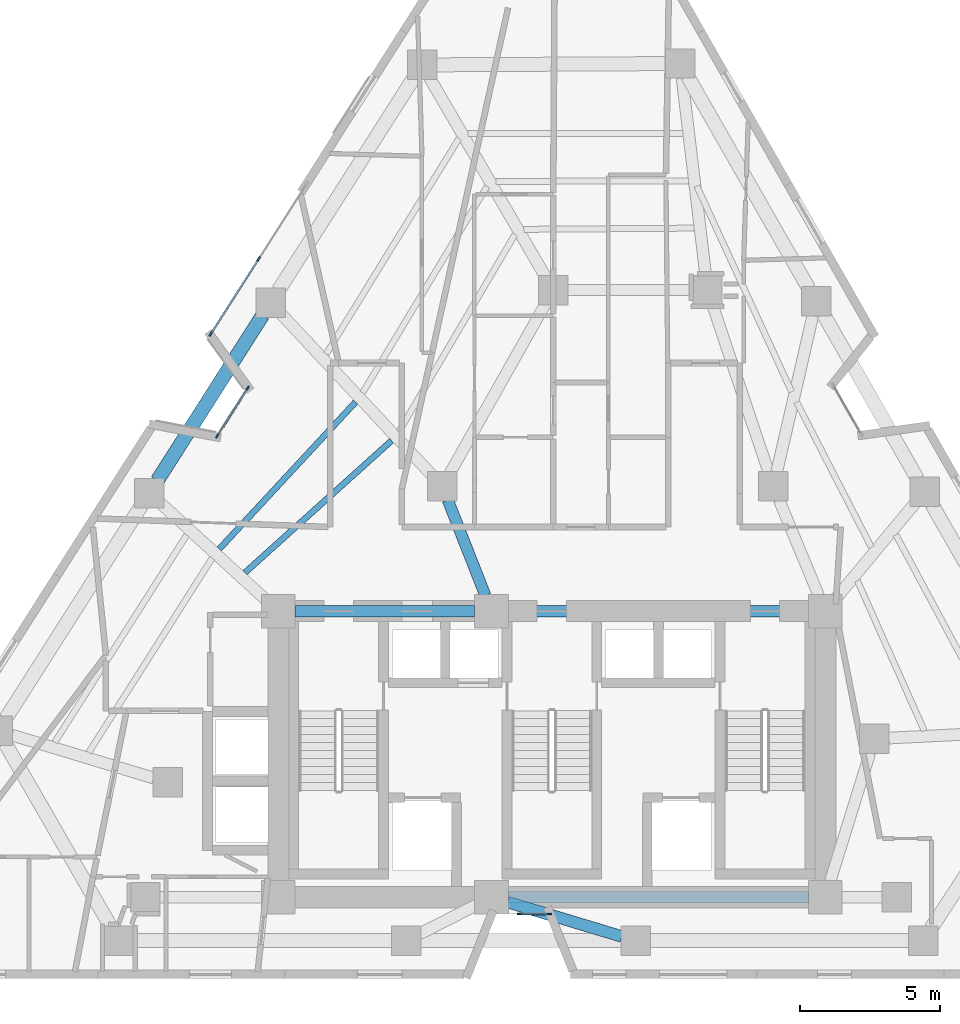
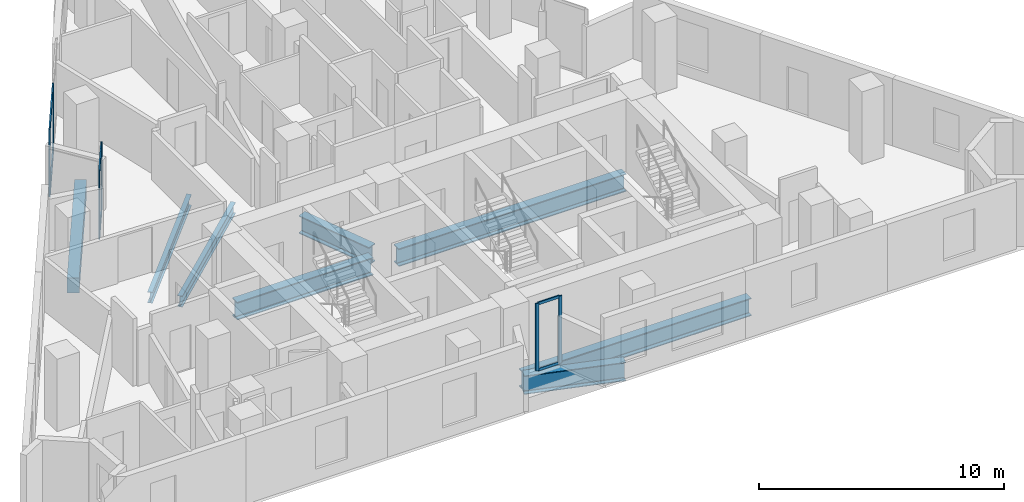
# One storey, part 2 of 11: 12 members, 8 beams, 3 elements without a shape of their own.
"""IFC4 building model written with IfcOpenShell, lengths in metres."""

from ifc_helpers import new_model, si_unit, direction, frame, origin, origin_2d, place, context, subcontext, project, spatial, rectangle, i_section, extrude, material, layer, layer_set, material_profile, profile_set, type_object, element, aggregate, save


model = new_model("IFC4")

# Units and contexts
model_context = context("Model", 3, precision=1e-05, world=origin(), true_north=direction((0.0, 1.0)))
body_context = subcontext(model_context, "Body", "Model", "MODEL_VIEW")
ifc_project = project(units=[si_unit("LENGTHUNIT", "METRE"), si_unit("AREAUNIT", "SQUARE_METRE"), si_unit("VOLUMEUNIT", "CUBIC_METRE"), si_unit("PLANEANGLEUNIT", "RADIAN"), si_unit("MASSUNIT", "GRAM", prefix="KILO")], contexts=[model_context])

# Site, building, storey
site_placement = place(None, origin())
site = spatial("IfcSite", under=ifc_project, at=site_placement, CompositionType="ELEMENT")
building_placement = place(site_placement, origin())
building = spatial("IfcBuilding", under=site, at=building_placement, Name="Almagre Mirador Tower", CompositionType="ELEMENT")
storey_placement = place(building_placement, frame((0.0, 0.0, 146.39990234375)))
storey = spatial("IfcBuildingStorey", under=building, at=storey_placement, Name="L37", CompositionType="ELEMENT", Elevation=146.39990234375)

# Beams
ifc_material_1 = material(Name="Steel ASTM A992 Grade 50", Category="steel")
ifc_material_profile_1 = material_profile(ifc_material_1, i_section(OverallWidth=0.214111328125, OverallDepth=0.549072265625, WebThickness=0.0146484375, FlangeThickness=0.023681640625, FilletRadius=0.01806640625, at=origin_2d()), Name="W21X93")
ifc_profile_set_1 = profile_set([ifc_material_profile_1], Name="Steel ASTM A992 Grade 50")
beam_type_1 = type_object("IfcBeamType", Name="BM-JST-W21X93", PredefinedType="JOIST", material=ifc_profile_set_1)
beam_1_placement = place(storey_placement, frame((30.302001953125, 22.20458984375, -0.5244140625), z_axis=(-0.680188995277, -0.733036786733, 0.0), x_axis=(0.733036786733, -0.680188995277, 0.0)))
element("IfcBeam", 1, at=beam_1_placement, inside=storey, type_object=beam_type_1, Name="L37 secondary floor joist PC10-PC11.2", PredefinedType="JOIST", context=body_context, shape_type="SweptSolid", body=[
    extrude(i_section(OverallWidth=0.214111328125, OverallDepth=0.549072265625, WebThickness=0.0146484375, FlangeThickness=0.023681640625, FilletRadius=0.01806640625, at=origin_2d()), origin(), (0.0, 0.0, 1.0), 7.146728515625),
])
beam_2_placement = place(storey_placement, frame((31.58740234375, 20.830810546875, -0.5244140625), z_axis=(-0.743228574816, -0.669037581588, 0.0), x_axis=(0.669037581588, -0.743228574816, 0.0)))
element("IfcBeam", 2, at=beam_2_placement, inside=storey, type_object=beam_type_1, Name="L37 secondary floor joist PC10-PC11.3", PredefinedType="JOIST", context=body_context, shape_type="SweptSolid", body=[
    extrude(i_section(OverallWidth=0.214111328125, OverallDepth=0.549072265625, WebThickness=0.0146484375, FlangeThickness=0.023681640625, FilletRadius=0.01806640625, at=origin_2d()), origin(), (0.0, 0.0, 1.0), 7.03564453125),
])
ifc_material_2 = material(Name="Precast concrete C50/60", Category="concrete")
ifc_material_profile_2 = material_profile(ifc_material_2, rectangle(XDim=0.5, YDim=0.75, at=origin_2d()), Name="RC500X750")
ifc_profile_set_2 = profile_set([ifc_material_profile_2], Name="Precast concrete C50/60")
beam_type_2 = type_object("IfcBeamType", Name="BM-SPN-RC500X750", PredefinedType="SPANDREL", material=ifc_profile_set_2)
beam_3_placement = place(storey_placement, frame((26.989990234375, 25.30419921875, -0.625), z_axis=(-0.537135259931, -0.843496124792, 0.0), x_axis=(0.843496124792, -0.537135259931, 0.0)))
element("IfcBeam", 3, at=beam_3_placement, inside=storey, type_object=beam_type_2, Name="L37 perimeter spandrel beam PC10-PC11", PredefinedType="SPANDREL", context=body_context, shape_type="SweptSolid", body=[
    extrude(rectangle(XDim=0.5, YDim=0.75, at=origin_2d()), origin(), (0.0, 0.0, 1.0), 6.992919921875),
])
ifc_material_3 = material(Name="Steel ASTM A992 Grade 50", Category="steel")
ifc_material_profile_3 = material_profile(ifc_material_3, i_section(OverallWidth=0.404052734375, OverallDepth=0.884033203125, WebThickness=0.0244140625, FlangeThickness=0.0439453125, FilletRadius=0.02490234375, at=origin_2d()), Name="W33X291")
ifc_profile_set_3 = profile_set([ifc_material_profile_3], Name="Steel ASTM A992 Grade 50")
beam_type_3 = type_object("IfcBeamType", Name="BM-STL-W33X291", PredefinedType="BEAM", material=ifc_profile_set_3)
beam_4_placement = place(storey_placement, frame((35.75, 4.550048828125, -0.69189453125), z_axis=(1.0, 0.0, 0.0), x_axis=(0.0, 1.0, 0.0)))
element("IfcBeam", 4, at=beam_4_placement, inside=storey, type_object=beam_type_3, Name="L37 core tie girder CC2-CC3", PredefinedType="BEAM", context=body_context, shape_type="SweptSolid", body=[
    extrude(i_section(OverallWidth=0.404052734375, OverallDepth=0.884033203125, WebThickness=0.0244140625, FlangeThickness=0.0439453125, FilletRadius=0.02490234375, at=origin_2d()), origin(), (0.0, 0.0, 1.0), 10.699951171875),
])
beam_5_placement = place(storey_placement, frame((28.14990234375, 14.75, -0.69189453125), z_axis=(1.0, 0.0, 0.0), x_axis=(0.0, 1.0, 0.0)))
element("IfcBeam", 5, at=beam_5_placement, inside=storey, type_object=beam_type_3, Name="L37 core tie girder CC4-CC5", PredefinedType="BEAM", context=body_context, shape_type="SweptSolid", body=[
    extrude(i_section(OverallWidth=0.404052734375, OverallDepth=0.884033203125, WebThickness=0.0244140625, FlangeThickness=0.0439453125, FilletRadius=0.02490234375, at=origin_2d()), origin(), (0.0, 0.0, 1.0), 6.400146484375),
])
beam_6_placement = place(storey_placement, frame((35.75, 14.75, -0.69189453125), z_axis=(1.0, 0.0, 0.0), x_axis=(0.0, 1.0, 0.0)))
element("IfcBeam", 6, at=beam_6_placement, inside=storey, type_object=beam_type_3, Name="L37 core tie girder CC5-CC6", PredefinedType="BEAM", context=body_context, shape_type="SweptSolid", body=[
    extrude(i_section(OverallWidth=0.404052734375, OverallDepth=0.884033203125, WebThickness=0.0244140625, FlangeThickness=0.0439453125, FilletRadius=0.02490234375, at=origin_2d()), origin(), (0.0, 0.0, 1.0), 10.699951171875),
])
beam_7_placement = place(storey_placement, frame((33.592041015625, 18.71142578125, -0.69189453125), z_axis=(0.365997304164, -0.930615910752, 0.0), x_axis=(0.930615910752, 0.365997304164, 0.0)))
element("IfcBeam", 7, at=beam_7_placement, inside=storey, type_object=beam_type_3, Name="L37 core tie girder MC8-CC5", PredefinedType="BEAM", context=body_context, shape_type="SweptSolid", body=[
    extrude(i_section(OverallWidth=0.404052734375, OverallDepth=0.884033203125, WebThickness=0.0244140625, FlangeThickness=0.0439453125, FilletRadius=0.02490234375, at=origin_2d()), origin(), (0.0, 0.0, 1.0), 3.65673828125),
])
ifc_material_4 = material(Name="Steel ASTM A992 Grade 50", Category="steel")
ifc_material_profile_4 = material_profile(ifc_material_4, i_section(OverallWidth=0.41796875, OverallDepth=0.927001953125, WebThickness=0.019287109375, FlangeThickness=0.031982421875, FilletRadius=0.028076171875, at=origin_2d()), Name="W36X231")
ifc_profile_set_4 = profile_set([ifc_material_profile_4], Name="Steel ASTM A992 Grade 50")
beam_type_4 = type_object("IfcBeamType", Name="BM-STL-W36X231", PredefinedType="BEAM", material=ifc_profile_set_4)
beam_8_placement = place(storey_placement, frame((39.793212890625, 3.1513671875, -0.71337890625), z_axis=(-0.957501498255, 0.288428294104, 0.0), x_axis=(-0.288428294104, -0.957501498255, 0.0)))
element("IfcBeam", 8, at=beam_8_placement, inside=storey, type_object=beam_type_4, Name="L37 radial floor girder PC03-CC2", PredefinedType="BEAM", context=body_context, shape_type="SweptSolid", body=[
    extrude(i_section(OverallWidth=0.41796875, OverallDepth=0.927001953125, WebThickness=0.019287109375, FlangeThickness=0.031982421875, FilletRadius=0.028076171875, at=origin_2d()), origin(), (0.0, 0.0, 1.0), 4.249267578125),
])

# Curtain wall, members
ifc_material_5 = material(Name="Black anodized aluminium", Category="aluminium")
ifc_layer_1 = layer(ifc_material_5, 0.169921875)
ifc_layer_set_1 = layer_set([ifc_layer_1], Name="Black anodized aluminium")
curtain_wall_type_1 = type_object("IfcCurtainWallType", Name="CW-CRS-SYS", PredefinedType="NOTDEFINED", material=ifc_layer_set_1)
curtain_wall_1_placement = place(storey_placement, origin())
curtain_wall_1 = element("IfcCurtainWall", 9, at=curtain_wall_1_placement, inside=storey, type_object=curtain_wall_type_1, Name="L37 vertical crease curtain wall 01", PredefinedType="NOTDEFINED")
ifc_material_6 = material(Name="Black anodized aluminium", Category="aluminium")
ifc_material_profile_5 = material_profile(ifc_material_6, rectangle(XDim=0.06005859375, YDim=0.14990234375, at=origin_2d()), Name="CWM60X150")
ifc_profile_set_5 = profile_set([ifc_material_profile_5], Name="Black anodized aluminium")
member_type_1 = type_object("IfcMemberType", Name="MBR-CWM60X150", PredefinedType="MULLION", material=ifc_profile_set_5)
member_1_placement = place(storey_placement, frame((25.3681640625, 20.9892578125, 0.0), z_axis=(0.0, 0.0, 1.0), x_axis=(-0.843425018441, 0.537246906243, 0.0)))
member_1 = element("IfcMember", 10, at=member_1_placement, type_object=member_type_1, Name="CW-4 mullion 1", PredefinedType="MULLION", context=body_context, shape_type="SweptSolid", body=[
    extrude(rectangle(XDim=0.06005859375, YDim=0.14990234375, at=origin_2d()), origin(), (0.0, 0.0, 1.0), 3.35009765625),
])
member_2_placement = place(storey_placement, frame((26.458984375, 22.70166015625, 0.0), z_axis=(0.0, 0.0, 1.0), x_axis=(-0.843425018441, 0.537246906243, 0.0)))
member_2 = element("IfcMember", 11, at=member_2_placement, type_object=member_type_1, Name="CW-4 mullion 2", PredefinedType="MULLION", context=body_context, shape_type="SweptSolid", body=[
    extrude(rectangle(XDim=0.06005859375, YDim=0.14990234375, at=origin_2d()), origin(), (0.0, 0.0, 1.0), 3.35009765625),
])

curtain_wall_2_placement = place(storey_placement, origin())
curtain_wall_2 = element("IfcCurtainWall", 12, at=curtain_wall_2_placement, inside=storey, type_object=curtain_wall_type_1, Name="L37 vertical crease curtain wall 04", PredefinedType="NOTDEFINED")
member_3_placement = place(storey_placement, frame((37.215087890625, 3.949951171875, 0.0), z_axis=(0.0, 0.0, 1.0), x_axis=(0.0, -1.0, 0.0)))
member_3 = element("IfcMember", 13, at=member_3_placement, type_object=member_type_1, Name="CW-4 mullion 1", PredefinedType="MULLION", context=body_context, shape_type="SweptSolid", body=[
    extrude(rectangle(XDim=0.06005859375, YDim=0.14990234375, at=origin_2d()), origin(), (0.0, 0.0, 1.0), 3.35009765625),
])
member_4_placement = place(storey_placement, frame((36.139892578125, 3.949951171875, 0.0), z_axis=(0.0, 0.0, 1.0), x_axis=(0.0, -1.0, 0.0)))
member_4 = element("IfcMember", 14, at=member_4_placement, type_object=member_type_1, Name="CW-4 mullion 2", PredefinedType="MULLION", context=body_context, shape_type="SweptSolid", body=[
    extrude(rectangle(XDim=0.06005859375, YDim=0.14990234375, at=origin_2d()), origin(), (0.0, 0.0, 1.0), 3.35009765625),
])

ifc_material_7 = material(Name="Black anodized aluminium", Category="aluminium")
ifc_layer_2 = layer(ifc_material_7, 0.199951171875)
ifc_layer_set_2 = layer_set([ifc_layer_2], Name="Black anodized aluminium")
curtain_wall_type_2 = type_object("IfcCurtainWallType", Name="CW-RES-H-SYS", PredefinedType="NOTDEFINED", material=ifc_layer_set_2)
curtain_wall_3_placement = place(storey_placement, origin())
curtain_wall_3 = element("IfcCurtainWall", 15, at=curtain_wall_3_placement, inside=storey, type_object=curtain_wall_type_2, Name="L37 curtain wall run 02", PredefinedType="NOTDEFINED")
ifc_material_8 = material(Name="Black anodized aluminium", Category="aluminium")
ifc_material_profile_6 = material_profile(ifc_material_8, rectangle(XDim=0.06494140625, YDim=0.179931640625, at=origin_2d()), Name="CWM65X180")
ifc_profile_set_6 = profile_set([ifc_material_profile_6], Name="Black anodized aluminium")
member_type_2 = type_object("IfcMemberType", Name="MBR-CWM65X180", PredefinedType="MULLION", material=ifc_profile_set_6)
member_5_placement = place(storey_placement, frame((25.138427734375, 24.63037109375, 0.0), z_axis=(0.0, 0.0, 1.0), x_axis=(-0.843517584645, 0.537101558734, 0.0)))
member_5 = element("IfcMember", 16, at=member_5_placement, type_object=member_type_2, Name="CW-3 mullion 1", PredefinedType="MULLION", context=body_context, shape_type="SweptSolid", body=[
    extrude(rectangle(XDim=0.06494140625, YDim=0.179931640625, at=origin_2d()), origin(), (0.0, 0.0, 1.0), 3.35009765625),
])
member_6_placement = place(storey_placement, frame((26.842529296875, 27.306884765625, 0.0), z_axis=(0.0, 0.0, 1.0), x_axis=(-0.843517584645, 0.537101558734, 0.0)))
member_6 = element("IfcMember", 17, at=member_6_placement, type_object=member_type_2, Name="CW-3 mullion 2", PredefinedType="MULLION", context=body_context, shape_type="SweptSolid", body=[
    extrude(rectangle(XDim=0.06494140625, YDim=0.179931640625, at=origin_2d()), origin(), (0.0, 0.0, 1.0), 3.35009765625),
])

# Member
ifc_material_9 = material(Name="Black anodized aluminium", Category="aluminium")
ifc_material_profile_7 = material_profile(ifc_material_9, rectangle(XDim=0.06005859375, YDim=0.1298828125, at=origin_2d()), Name="CWT60X130")
ifc_profile_set_7 = profile_set([ifc_material_profile_7], Name="Black anodized aluminium")
member_type_3 = type_object("IfcMemberType", Name="MBR-CWT60X130", PredefinedType="USERDEFINED", material=ifc_profile_set_7)
member_7_placement = place(storey_placement, frame((25.38427734375, 21.0146484375, 0.030029296875), z_axis=(0.537252255736, 0.843421610884, 0.0), x_axis=(-0.843421610884, 0.537252255736, 0.0)))
member_7 = element("IfcMember", 18, at=member_7_placement, type_object=member_type_3, Name="CW-4 transom 1.1", ObjectType="TRANSOM", PredefinedType="USERDEFINED", context=body_context, shape_type="SweptSolid", body=[
    extrude(rectangle(XDim=0.06005859375, YDim=0.1298828125, at=origin_2d()), origin(), (0.0, 0.0, 1.0), 1.970458984375),
])

member_8_placement = place(storey_placement, frame((25.38427734375, 21.0146484375, 3.320068359375), z_axis=(0.537252255736, 0.843421610884, 0.0), x_axis=(-0.843421610884, 0.537252255736, 0.0)))
member_8 = element("IfcMember", 19, at=member_8_placement, type_object=member_type_3, Name="CW-4 transom 1.2", ObjectType="TRANSOM", PredefinedType="USERDEFINED", context=body_context, shape_type="SweptSolid", body=[
    extrude(rectangle(XDim=0.06005859375, YDim=0.1298828125, at=origin_2d()), origin(), (0.0, 0.0, 1.0), 1.970458984375),
])

aggregate(curtain_wall_1, [member_1, member_2, member_7, member_8])

member_9_placement = place(storey_placement, frame((37.18505859375, 3.949951171875, 0.030029296875), z_axis=(-1.0, 0.0, 0.0), x_axis=(0.0, -1.0, 0.0)))
member_9 = element("IfcMember", 20, at=member_9_placement, type_object=member_type_3, Name="CW-4 transom 1.1", ObjectType="TRANSOM", PredefinedType="USERDEFINED", context=body_context, shape_type="SweptSolid", body=[
    extrude(rectangle(XDim=0.06005859375, YDim=0.1298828125, at=origin_2d()), origin(), (0.0, 0.0, 1.0), 1.01513671875),
])

member_10_placement = place(storey_placement, frame((37.18505859375, 3.949951171875, 3.320068359375), z_axis=(-1.0, 0.0, 0.0), x_axis=(0.0, -1.0, 0.0)))
member_10 = element("IfcMember", 21, at=member_10_placement, type_object=member_type_3, Name="CW-4 transom 1.2", ObjectType="TRANSOM", PredefinedType="USERDEFINED", context=body_context, shape_type="SweptSolid", body=[
    extrude(rectangle(XDim=0.06005859375, YDim=0.1298828125, at=origin_2d()), origin(), (0.0, 0.0, 1.0), 1.01513671875),
])

aggregate(curtain_wall_2, [member_3, member_4, member_9, member_10])

ifc_material_10 = material(Name="Black anodized aluminium", Category="aluminium")
ifc_material_profile_8 = material_profile(ifc_material_10, rectangle(XDim=0.06494140625, YDim=0.14990234375, at=origin_2d()), Name="CWT65X150")
ifc_profile_set_8 = profile_set([ifc_material_profile_8], Name="Black anodized aluminium")
member_type_4 = type_object("IfcMemberType", Name="MBR-CWT65X150", PredefinedType="USERDEFINED", material=ifc_profile_set_8)
member_11_placement = place(storey_placement, frame((25.156005859375, 24.65771484375, 0.03271484375), z_axis=(0.537048291555, 0.843551499636, 0.0), x_axis=(-0.843551499636, 0.537048291555, 0.0)))
member_11 = element("IfcMember", 22, at=member_11_placement, type_object=member_type_4, Name="CW-3 transom 1.1", ObjectType="TRANSOM", PredefinedType="USERDEFINED", context=body_context, shape_type="SweptSolid", body=[
    extrude(rectangle(XDim=0.06494140625, YDim=0.14990234375, at=origin_2d()), origin(), (0.0, 0.0, 1.0), 3.108154296875),
])

member_12_placement = place(storey_placement, frame((25.156005859375, 24.65771484375, 3.317626953125), z_axis=(0.537048291555, 0.843551499636, 0.0), x_axis=(-0.843551499636, 0.537048291555, 0.0)))
member_12 = element("IfcMember", 23, at=member_12_placement, type_object=member_type_4, Name="CW-3 transom 1.2", ObjectType="TRANSOM", PredefinedType="USERDEFINED", context=body_context, shape_type="SweptSolid", body=[
    extrude(rectangle(XDim=0.06494140625, YDim=0.14990234375, at=origin_2d()), origin(), (0.0, 0.0, 1.0), 3.108154296875),
])

aggregate(curtain_wall_3, [member_5, member_6, member_11, member_12])

save(model, "model.ifc")
